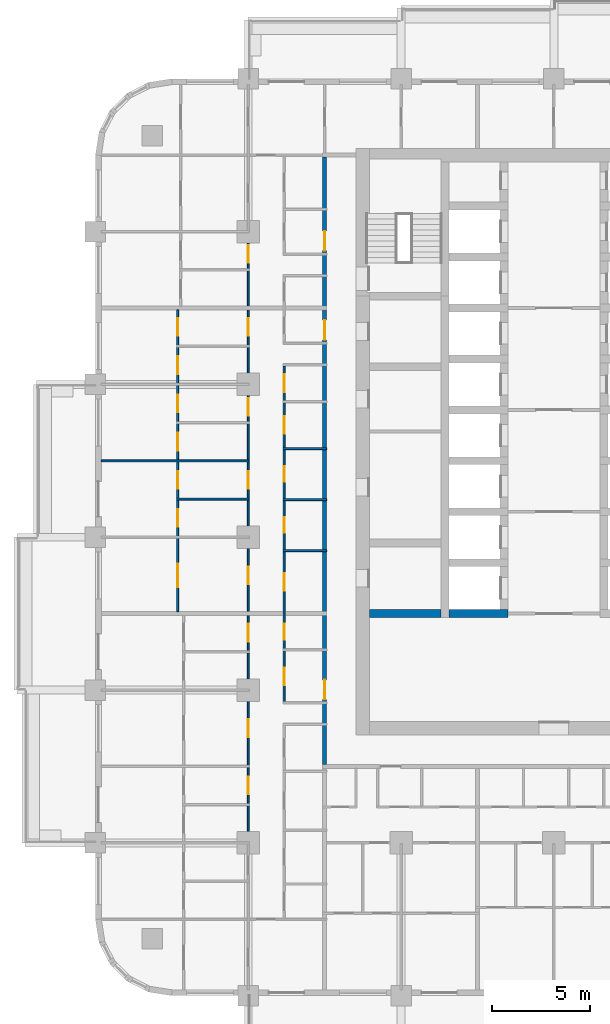
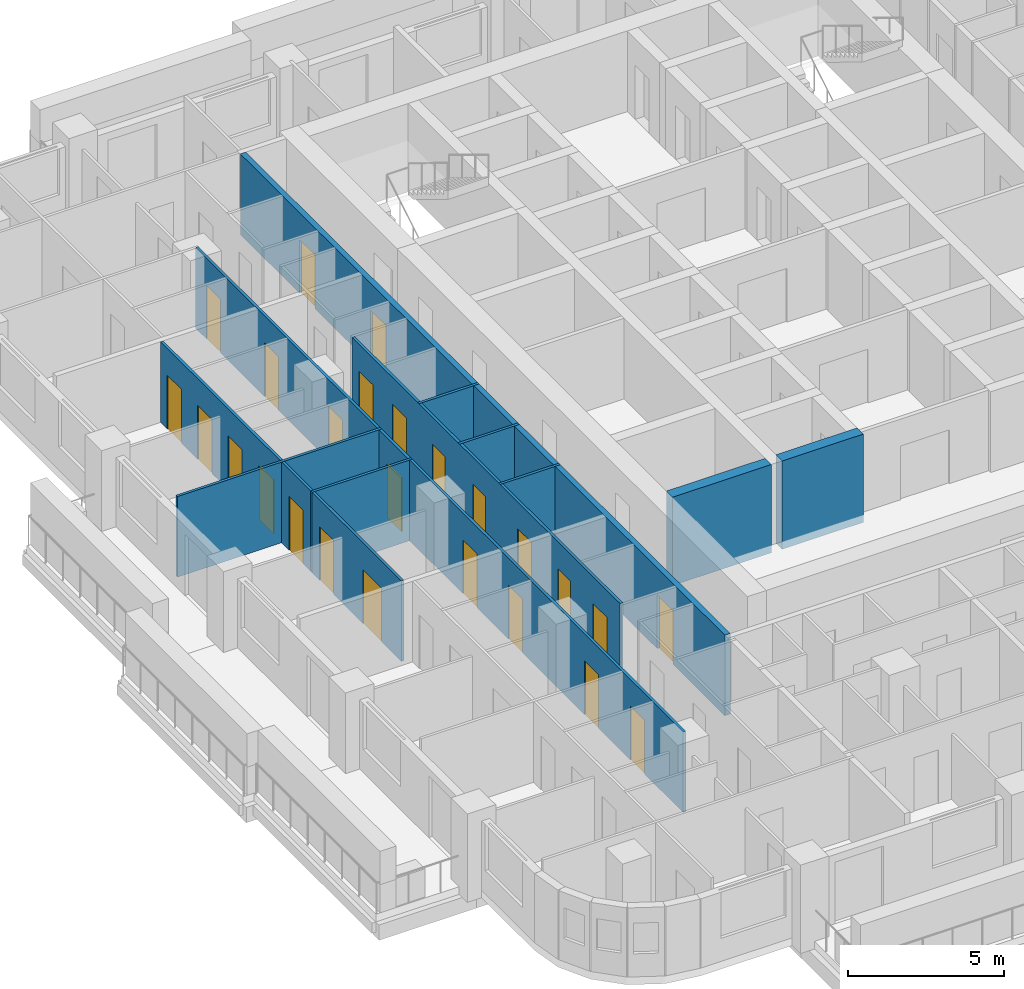
# One storey, part 5 of 17: 25 doors, 11 walls, 25 openings.
"""IFC4 building model written with IfcOpenShell, lengths in metres."""

from ifc_helpers import new_model, si_unit, direction, frame, frame_2d, origin, place, context, subcontext, project, spatial, rectangle, extrude, material, layer, layer_set, type_object, element, fill, save


model = new_model("IFC4")

# Units and contexts
model_context = context("Model", 3, precision=1e-05, world=origin(), true_north=direction((0.0, 1.0)))
body_context = subcontext(model_context, "Body", "Model", "MODEL_VIEW")
ifc_project = project(units=[si_unit("LENGTHUNIT", "METRE"), si_unit("AREAUNIT", "SQUARE_METRE"), si_unit("VOLUMEUNIT", "CUBIC_METRE"), si_unit("PLANEANGLEUNIT", "RADIAN"), si_unit("MASSUNIT", "GRAM", prefix="KILO")], contexts=[model_context])

# Site, building, storey
site_placement = place(None, origin())
site = spatial("IfcSite", under=ifc_project, at=site_placement, CompositionType="ELEMENT")
building_placement = place(site_placement, origin())
building = spatial("IfcBuilding", under=site, at=building_placement, Name="Ludao Terraces", CompositionType="ELEMENT")
storey_placement = place(building_placement, frame((0.0, 0.0, 51.199951171875)))
storey = spatial("IfcBuildingStorey", under=building, at=storey_placement, Name="L13", CompositionType="ELEMENT", Elevation=51.199951171875)

# Wall, openings, doors
ifc_material_1 = material(Name="Autoclaved aerated concrete block B06 A3.5", Category="concrete")
ifc_layer_1 = layer(ifc_material_1, 0.199951171875)
ifc_layer_set_1 = layer_set([ifc_layer_1], Name="INT Entrance wall 200")
wall_type_1 = type_object("IfcWallType", Name="INT Entrance wall 200", PredefinedType="PARTITIONING", material=ifc_layer_set_1)
wall_1_placement = place(storey_placement, frame((73.300048828125, 53.400146484375, 0.0), z_axis=(0.0, 0.0, 1.0), x_axis=(0.0, 1.0, 0.0)))
wall_1 = element("IfcWall", 1, at=wall_1_placement, inside=storey, type_object=wall_type_1, Name="PW-L13-PW089", PredefinedType="PARTITIONING", context=body_context, shape_type="SweptSolid", body=[
    extrude(rectangle(XDim=31.0, YDim=0.199951171875, at=frame_2d((15.5, 0.0))), origin(), (0.0, 0.0, 1.0), 3.150146484375),
])
opening_1_placement = place(wall_1_placement, frame((3.324951171875, 0.0, 0.0)))
opening_1 = element("IfcOpeningElement", 2, at=opening_1_placement, cuts=wall_1, Name="Opening R04-060", PredefinedType="OPENING", context=body_context, shape_type="SweptSolid", body=[
    extrude(rectangle(XDim=1.0, YDim=2.10009765625, at=frame_2d((0.5, 1.050048828125))), frame((0.0, 0.10986328125, 0.0), z_axis=(0.0, -1.0, 0.0), x_axis=(1.0, 0.0, 0.0)), (0.0, 0.0, 1.0), 0.219970703125),
])
opening_2_placement = place(wall_1_placement, frame((21.675048828125, 0.0, 0.0)))
opening_2 = element("IfcOpeningElement", 3, at=opening_2_placement, cuts=wall_1, Name="Opening R04-119", PredefinedType="OPENING", context=body_context, shape_type="SweptSolid", body=[
    extrude(rectangle(XDim=1.0, YDim=2.10009765625, at=frame_2d((0.5, 1.050048828125))), frame((0.0, 0.10986328125, 0.0), z_axis=(0.0, -1.0, 0.0), x_axis=(1.0, 0.0, 0.0)), (0.0, 0.0, 1.0), 0.219970703125),
])
opening_3_placement = place(wall_1_placement, frame((26.22509765625, 0.0, 0.0)))
opening_3 = element("IfcOpeningElement", 4, at=opening_3_placement, cuts=wall_1, Name="Opening R04-139", PredefinedType="OPENING", context=body_context, shape_type="SweptSolid", body=[
    extrude(rectangle(XDim=1.0, YDim=2.10009765625, at=frame_2d((0.5, 1.050048828125))), frame((0.0, 0.10986328125, 0.0), z_axis=(0.0, -1.0, 0.0), x_axis=(1.0, 0.0, 0.0)), (0.0, 0.0, 1.0), 0.219970703125),
])
ifc_material_2 = material(Name="Steel Q235", Category="steel")
door_type_1 = type_object("IfcDoorType", Name="INT Flat entrance door 1000", OperationType="SINGLE_SWING_LEFT", PredefinedType="DOOR", material=ifc_material_2)
door_1_placement = place(opening_1_placement, origin())
door_1 = element("IfcDoor", 5, at=door_1_placement, inside=storey, type_object=door_type_1, Name="DOOR 060", OperationType="SINGLE_SWING_RIGHT", OverallHeight=2.10009765625, OverallWidth=1.0, PredefinedType="DOOR", context=body_context, shape_type="SweptSolid", body=[
    extrude(rectangle(XDim=1.0, YDim=2.10009765625, at=frame_2d((0.5, 1.050048828125))), frame((0.0, 0.02490234375, 0.0), z_axis=(0.0, -1.0, 0.0), x_axis=(1.0, 0.0, 0.0)), (0.0, 0.0, 1.0), 0.050048828125),
])
fill(opening_1, door_1)
door_2_placement = place(opening_2_placement, origin())
door_2 = element("IfcDoor", 6, at=door_2_placement, inside=storey, type_object=door_type_1, Name="DOOR 119", OperationType="SINGLE_SWING_RIGHT", OverallHeight=2.10009765625, OverallWidth=1.0, PredefinedType="DOOR", context=body_context, shape_type="SweptSolid", body=[
    extrude(rectangle(XDim=1.0, YDim=2.10009765625, at=frame_2d((0.5, 1.050048828125))), frame((0.0, 0.02490234375, 0.0), z_axis=(0.0, -1.0, 0.0), x_axis=(1.0, 0.0, 0.0)), (0.0, 0.0, 1.0), 0.050048828125),
])
fill(opening_2, door_2)
door_3_placement = place(opening_3_placement, origin())
door_3 = element("IfcDoor", 7, at=door_3_placement, inside=storey, type_object=door_type_1, Name="DOOR 139", OperationType="SINGLE_SWING_RIGHT", OverallHeight=2.10009765625, OverallWidth=1.0, PredefinedType="DOOR", context=body_context, shape_type="SweptSolid", body=[
    extrude(rectangle(XDim=1.0, YDim=2.10009765625, at=frame_2d((0.5, 1.050048828125))), frame((0.0, 0.02490234375, 0.0), z_axis=(0.0, -1.0, 0.0), x_axis=(1.0, 0.0, 0.0)), (0.0, 0.0, 1.0), 0.050048828125),
])
fill(opening_3, door_3)

# Walls
ifc_material_3 = material(Name="Gypsum plasterboard", Category="gypsum")
ifc_layer_2 = layer(ifc_material_3, 0.012451171875, Category="gypsum")
ifc_material_4 = material(Name="Mineral wool")
ifc_layer_3 = layer(ifc_material_4, 0.06005859375, Name="insulation")
ifc_layer_4 = layer(ifc_material_2, 0.014892578125, Name="stud")
ifc_layer_5 = layer(ifc_material_3, 0.012451171875, Category="gypsum")
ifc_layer_set_2 = layer_set([ifc_layer_2, ifc_layer_3, ifc_layer_4, ifc_layer_5], Name="INT Partition 100")
wall_type_2 = type_object("IfcWallType", Name="INT Partition 100", PredefinedType="PARTITIONING", material=ifc_layer_set_2)
for number, where, z_axis, x_axis, name in (
    (8, (71.18017578125, 64.320068359375, 0.0), (0.0, 0.0, 1.0), (1.0, 0.0, 0.0), "PW-L13-PW038"),
    (9, (71.18017578125, 66.919921875, 0.0), (0.0, 0.0, 1.0), (1.0, 0.0, 0.0), "PW-L13-PW042"),
):
    element("IfcWall", number, at=place(storey_placement, frame(where, z_axis=z_axis, x_axis=x_axis)), inside=storey, type_object=wall_type_2, Name=name, PredefinedType="PARTITIONING", context=body_context, shape_type="SweptSolid", body=[
        extrude(rectangle(XDim=2.219970703125, YDim=0.10009765625, at=frame_2d((1.10986328125, 0.0))), origin(), (0.0, 0.0, 1.0), 3.150146484375),
    ])
wall_2_placement = place(storey_placement, frame((65.75, 66.949951171875, 0.0), z_axis=(0.0, 0.0, 1.0), x_axis=(1.0, 0.0, 0.0)))
element("IfcWall", 10, at=wall_2_placement, inside=storey, type_object=wall_type_2, Name="PW-L13-PW043", PredefinedType="PARTITIONING", context=body_context, shape_type="SweptSolid", body=[
    extrude(rectangle(XDim=3.7001953125, YDim=0.10009765625, at=frame_2d((1.85009765625, 0.0))), origin(), (0.0, 0.0, 1.0), 3.150146484375),
])
wall_3_placement = place(storey_placement, frame((61.900146484375, 68.89990234375, 0.0), z_axis=(0.0, 0.0, 1.0), x_axis=(1.0, 0.0, 0.0)))
element("IfcWall", 11, at=wall_3_placement, inside=storey, type_object=wall_type_2, Name="PW-L13-PW045", PredefinedType="PARTITIONING", context=body_context, shape_type="SweptSolid", body=[
    extrude(rectangle(XDim=7.550048828125, YDim=0.10009765625, at=frame_2d((3.77490234375, 0.0))), origin(), (0.0, 0.0, 1.0), 3.150146484375),
])
wall_4_placement = place(storey_placement, frame((71.18017578125, 69.52001953125, 0.0), z_axis=(0.0, 0.0, 1.0), x_axis=(1.0, 0.0, 0.0)))
element("IfcWall", 12, at=wall_4_placement, inside=storey, type_object=wall_type_2, Name="PW-L13-PW047", PredefinedType="PARTITIONING", context=body_context, shape_type="SweptSolid", body=[
    extrude(rectangle(XDim=2.219970703125, YDim=0.10009765625, at=frame_2d((1.10986328125, 0.0))), origin(), (0.0, 0.0, 1.0), 3.150146484375),
])

# Wall, openings, doors
wall_5_placement = place(storey_placement, frame((65.800048828125, 61.2001953125, 0.0), z_axis=(0.0, 0.0, 1.0), x_axis=(0.0, 1.0, 0.0)))
wall_5 = element("IfcWall", 13, at=wall_5_placement, inside=storey, type_object=wall_type_2, Name="PW-L13-PW080", PredefinedType="PARTITIONING", context=body_context, shape_type="SweptSolid", body=[
    extrude(rectangle(XDim=15.39990234375, YDim=0.10009765625, at=frame_2d((7.699951171875, 0.0))), origin(), (0.0, 0.0, 1.0), 3.150146484375),
])
opening_4_placement = place(wall_5_placement, frame((1.25, 0.0, 0.0)))
opening_4 = element("IfcOpeningElement", 14, at=opening_4_placement, cuts=wall_5, Name="Opening R04-077", PredefinedType="OPENING", context=body_context, shape_type="SweptSolid", body=[
    extrude(rectangle(XDim=1.199951171875, YDim=2.10009765625, at=frame_2d((0.60009765625, 1.050048828125))), frame((0.0, 0.06005859375, 0.0), z_axis=(0.0, -1.0, 0.0), x_axis=(1.0, 0.0, 0.0)), (0.0, 0.0, 1.0), 0.1201171875),
])
opening_5_placement = place(wall_5_placement, frame((4.324951171875, 0.0, 0.0)))
opening_5 = element("IfcOpeningElement", 15, at=opening_5_placement, cuts=wall_5, Name="Opening R04-086", PredefinedType="OPENING", context=body_context, shape_type="SweptSolid", body=[
    extrude(rectangle(XDim=0.89990234375, YDim=2.10009765625, at=frame_2d((0.449951171875, 1.050048828125))), frame((0.0, 0.06005859375, 0.0), z_axis=(0.0, -1.0, 0.0), x_axis=(1.0, 0.0, 0.0)), (0.0, 0.0, 1.0), 0.1201171875),
])
opening_6_placement = place(wall_5_placement, frame((6.27490234375, 0.0, 0.0)))
opening_6 = element("IfcOpeningElement", 16, at=opening_6_placement, cuts=wall_5, Name="Opening R04-093", PredefinedType="OPENING", context=body_context, shape_type="SweptSolid", body=[
    extrude(rectangle(XDim=0.89990234375, YDim=2.10009765625, at=frame_2d((0.449951171875, 1.050048828125))), frame((0.0, 0.06005859375, 0.0), z_axis=(0.0, -1.0, 0.0), x_axis=(1.0, 0.0, 0.0)), (0.0, 0.0, 1.0), 0.1201171875),
])
opening_7_placement = place(wall_5_placement, frame((8.224853515625, 0.0, 0.0)))
opening_7 = element("IfcOpeningElement", 17, at=opening_7_placement, cuts=wall_5, Name="Opening R04-097", PredefinedType="OPENING", context=body_context, shape_type="SweptSolid", body=[
    extrude(rectangle(XDim=0.89990234375, YDim=2.10009765625, at=frame_2d((0.449951171875, 1.050048828125))), frame((0.0, 0.06005859375, 0.0), z_axis=(0.0, -1.0, 0.0), x_axis=(1.0, 0.0, 0.0)), (0.0, 0.0, 1.0), 0.1201171875),
])
opening_8_placement = place(wall_5_placement, frame((10.1748046875, 0.0, 0.0)))
opening_8 = element("IfcOpeningElement", 18, at=opening_8_placement, cuts=wall_5, Name="Opening R04-105", PredefinedType="OPENING", context=body_context, shape_type="SweptSolid", body=[
    extrude(rectangle(XDim=0.89990234375, YDim=2.10009765625, at=frame_2d((0.449951171875, 1.050048828125))), frame((0.0, 0.06005859375, 0.0), z_axis=(0.0, -1.0, 0.0), x_axis=(1.0, 0.0, 0.0)), (0.0, 0.0, 1.0), 0.1201171875),
])
opening_9_placement = place(wall_5_placement, frame((12.125, 0.0, 0.0)))
opening_9 = element("IfcOpeningElement", 19, at=opening_9_placement, cuts=wall_5, Name="Opening R04-112", PredefinedType="OPENING", context=body_context, shape_type="SweptSolid", body=[
    extrude(rectangle(XDim=0.89990234375, YDim=2.10009765625, at=frame_2d((0.449951171875, 1.050048828125))), frame((0.0, 0.06005859375, 0.0), z_axis=(0.0, -1.0, 0.0), x_axis=(1.0, 0.0, 0.0)), (0.0, 0.0, 1.0), 0.1201171875),
])
opening_10_placement = place(wall_5_placement, frame((14.074951171875, 0.0, 0.0)))
opening_10 = element("IfcOpeningElement", 20, at=opening_10_placement, cuts=wall_5, Name="Opening R04-120", PredefinedType="OPENING", context=body_context, shape_type="SweptSolid", body=[
    extrude(rectangle(XDim=0.89990234375, YDim=2.10009765625, at=frame_2d((0.449951171875, 1.050048828125))), frame((0.0, 0.06005859375, 0.0), z_axis=(0.0, -1.0, 0.0), x_axis=(1.0, 0.0, 0.0)), (0.0, 0.0, 1.0), 0.1201171875),
])
ifc_material_5 = material(Name="Timber door leaf", Category="wood")
door_type_2 = type_object("IfcDoorType", Name="INT Bathroom door 900", OperationType="SINGLE_SWING_LEFT", PredefinedType="DOOR", material=ifc_material_5)
door_4_placement = place(opening_5_placement, origin())
door_4 = element("IfcDoor", 21, at=door_4_placement, inside=storey, type_object=door_type_2, Name="DOOR 086", OperationType="SINGLE_SWING_RIGHT", OverallHeight=2.10009765625, OverallWidth=0.89990234375, PredefinedType="DOOR", context=body_context, shape_type="SweptSolid", body=[
    extrude(rectangle(XDim=0.89990234375, YDim=2.10009765625, at=frame_2d((0.449951171875, 1.050048828125))), frame((0.0, 0.02490234375, 0.0), z_axis=(0.0, -1.0, 0.0), x_axis=(1.0, 0.0, 0.0)), (0.0, 0.0, 1.0), 0.050048828125),
])
fill(opening_5, door_4)
door_5_placement = place(opening_7_placement, origin())
door_5 = element("IfcDoor", 22, at=door_5_placement, inside=storey, type_object=door_type_2, Name="DOOR 097", OperationType="SINGLE_SWING_RIGHT", OverallHeight=2.10009765625, OverallWidth=0.89990234375, PredefinedType="DOOR", context=body_context, shape_type="SweptSolid", body=[
    extrude(rectangle(XDim=0.89990234375, YDim=2.10009765625, at=frame_2d((0.449951171875, 1.050048828125))), frame((0.0, 0.02490234375, 0.0), z_axis=(0.0, -1.0, 0.0), x_axis=(1.0, 0.0, 0.0)), (0.0, 0.0, 1.0), 0.050048828125),
])
fill(opening_7, door_5)
door_6_placement = place(opening_9_placement, origin())
door_6 = element("IfcDoor", 23, at=door_6_placement, inside=storey, type_object=door_type_2, Name="DOOR 112", OperationType="SINGLE_SWING_RIGHT", OverallHeight=2.10009765625, OverallWidth=0.89990234375, PredefinedType="DOOR", context=body_context, shape_type="SweptSolid", body=[
    extrude(rectangle(XDim=0.89990234375, YDim=2.10009765625, at=frame_2d((0.449951171875, 1.050048828125))), frame((0.0, 0.02490234375, 0.0), z_axis=(0.0, -1.0, 0.0), x_axis=(1.0, 0.0, 0.0)), (0.0, 0.0, 1.0), 0.050048828125),
])
fill(opening_9, door_6)
door_type_3 = type_object("IfcDoorType", Name="INT Double door 1200", OperationType="DOUBLE_DOOR_SINGLE_SWING", PredefinedType="DOOR", material=ifc_material_5)
door_7_placement = place(opening_4_placement, origin())
door_7 = element("IfcDoor", 24, at=door_7_placement, inside=storey, type_object=door_type_3, Name="DOOR 077", OperationType="DOUBLE_DOOR_SINGLE_SWING", OverallHeight=2.10009765625, OverallWidth=1.199951171875, PredefinedType="DOOR", context=body_context, shape_type="SweptSolid", body=[
    extrude(rectangle(XDim=1.199951171875, YDim=2.10009765625, at=frame_2d((0.60009765625, 1.050048828125))), frame((0.0, 0.02490234375, 0.0), z_axis=(0.0, -1.0, 0.0), x_axis=(1.0, 0.0, 0.0)), (0.0, 0.0, 1.0), 0.050048828125),
])
fill(opening_4, door_7)
door_type_4 = type_object("IfcDoorType", Name="INT Room door 900", OperationType="SINGLE_SWING_LEFT", PredefinedType="DOOR", material=ifc_material_5)
door_8_placement = place(opening_6_placement, origin())
door_8 = element("IfcDoor", 25, at=door_8_placement, inside=storey, type_object=door_type_4, Name="DOOR 093", OperationType="SINGLE_SWING_LEFT", OverallHeight=2.10009765625, OverallWidth=0.89990234375, PredefinedType="DOOR", context=body_context, shape_type="SweptSolid", body=[
    extrude(rectangle(XDim=0.89990234375, YDim=2.10009765625, at=frame_2d((0.449951171875, 1.050048828125))), frame((0.0, 0.02490234375, 0.0), z_axis=(0.0, -1.0, 0.0), x_axis=(1.0, 0.0, 0.0)), (0.0, 0.0, 1.0), 0.050048828125),
])
fill(opening_6, door_8)
door_9_placement = place(opening_8_placement, origin())
door_9 = element("IfcDoor", 26, at=door_9_placement, inside=storey, type_object=door_type_4, Name="DOOR 105", OperationType="SINGLE_SWING_RIGHT", OverallHeight=2.10009765625, OverallWidth=0.89990234375, PredefinedType="DOOR", context=body_context, shape_type="SweptSolid", body=[
    extrude(rectangle(XDim=0.89990234375, YDim=2.10009765625, at=frame_2d((0.449951171875, 1.050048828125))), frame((0.0, 0.02490234375, 0.0), z_axis=(0.0, -1.0, 0.0), x_axis=(1.0, 0.0, 0.0)), (0.0, 0.0, 1.0), 0.050048828125),
])
fill(opening_8, door_9)
door_10_placement = place(opening_10_placement, origin())
door_10 = element("IfcDoor", 27, at=door_10_placement, inside=storey, type_object=door_type_4, Name="DOOR 120", OperationType="SINGLE_SWING_LEFT", OverallHeight=2.10009765625, OverallWidth=0.89990234375, PredefinedType="DOOR", context=body_context, shape_type="SweptSolid", body=[
    extrude(rectangle(XDim=0.89990234375, YDim=2.10009765625, at=frame_2d((0.449951171875, 1.050048828125))), frame((0.0, 0.02490234375, 0.0), z_axis=(0.0, -1.0, 0.0), x_axis=(1.0, 0.0, 0.0)), (0.0, 0.0, 1.0), 0.050048828125),
])
fill(opening_10, door_10)

wall_6_placement = place(storey_placement, frame((69.39990234375, 49.39990234375, 0.0), z_axis=(0.0, 0.0, 1.0), x_axis=(0.0, 1.0, 0.0)))
wall_6 = element("IfcWall", 28, at=wall_6_placement, inside=storey, type_object=wall_type_2, Name="PW-L13-PW083-2", PredefinedType="PARTITIONING", context=body_context, shape_type="SweptSolid", body=[
    extrude(rectangle(XDim=31.2001953125, YDim=0.10009765625, at=frame_2d((15.60009765625, 0.0))), origin(), (0.0, 0.0, 1.0), 3.150146484375),
])
opening_11_placement = place(wall_6_placement, frame((2.47509765625, 0.0, 0.0)))
opening_11 = element("IfcOpeningElement", 29, at=opening_11_placement, cuts=wall_6, Name="Opening R04-046", PredefinedType="OPENING", context=body_context, shape_type="SweptSolid", body=[
    extrude(rectangle(XDim=0.89990234375, YDim=2.10009765625, at=frame_2d((0.449951171875, 1.050048828125))), frame((0.0, 0.06005859375, 0.0), z_axis=(0.0, -1.0, 0.0), x_axis=(1.0, 0.0, 0.0)), (0.0, 0.0, 1.0), 0.1201171875),
])
opening_12_placement = place(wall_6_placement, frame((5.400146484375, 0.0, 0.0)))
opening_12 = element("IfcOpeningElement", 30, at=opening_12_placement, cuts=wall_6, Name="Opening R04-054", PredefinedType="OPENING", context=body_context, shape_type="SweptSolid", body=[
    extrude(rectangle(XDim=0.89990234375, YDim=2.10009765625, at=frame_2d((0.449951171875, 1.050048828125))), frame((0.0, 0.06005859375, 0.0), z_axis=(0.0, -1.0, 0.0), x_axis=(1.0, 0.0, 0.0)), (0.0, 0.0, 1.0), 0.1201171875),
])
opening_13_placement = place(wall_6_placement, frame((10.275146484375, 0.0, 0.0)))
opening_13 = element("IfcOpeningElement", 31, at=opening_13_placement, cuts=wall_6, Name="Opening R04-068", PredefinedType="OPENING", context=body_context, shape_type="SweptSolid", body=[
    extrude(rectangle(XDim=0.89990234375, YDim=2.10009765625, at=frame_2d((0.449951171875, 1.050048828125))), frame((0.0, 0.06005859375, 0.0), z_axis=(0.0, -1.0, 0.0), x_axis=(1.0, 0.0, 0.0)), (0.0, 0.0, 1.0), 0.1201171875),
])
opening_14_placement = place(wall_6_placement, frame((13.2001953125, 0.0, 0.0)))
opening_14 = element("IfcOpeningElement", 32, at=opening_14_placement, cuts=wall_6, Name="Opening R04-078", PredefinedType="OPENING", context=body_context, shape_type="SweptSolid", body=[
    extrude(rectangle(XDim=0.89990234375, YDim=2.10009765625, at=frame_2d((0.449951171875, 1.050048828125))), frame((0.0, 0.06005859375, 0.0), z_axis=(0.0, -1.0, 0.0), x_axis=(1.0, 0.0, 0.0)), (0.0, 0.0, 1.0), 0.1201171875),
])
opening_15_placement = place(wall_6_placement, frame((18.0751953125, 0.0, 0.0)))
opening_15 = element("IfcOpeningElement", 33, at=opening_15_placement, cuts=wall_6, Name="Opening R04-094", PredefinedType="OPENING", context=body_context, shape_type="SweptSolid", body=[
    extrude(rectangle(XDim=0.89990234375, YDim=2.10009765625, at=frame_2d((0.449951171875, 1.050048828125))), frame((0.0, 0.06005859375, 0.0), z_axis=(0.0, -1.0, 0.0), x_axis=(1.0, 0.0, 0.0)), (0.0, 0.0, 1.0), 0.1201171875),
])
opening_16_placement = place(wall_6_placement, frame((21.80029296875, 0.0, 0.0)))
opening_16 = element("IfcOpeningElement", 34, at=opening_16_placement, cuts=wall_6, Name="Opening R04-103", PredefinedType="OPENING", context=body_context, shape_type="SweptSolid", body=[
    extrude(rectangle(XDim=0.89990234375, YDim=2.10009765625, at=frame_2d((0.449951171875, 1.050048828125))), frame((0.0, 0.06005859375, 0.0), z_axis=(0.0, -1.0, 0.0), x_axis=(1.0, 0.0, 0.0)), (0.0, 0.0, 1.0), 0.1201171875),
])
opening_17_placement = place(wall_6_placement, frame((25.875244140625, 0.0, 0.0)))
opening_17 = element("IfcOpeningElement", 35, at=opening_17_placement, cuts=wall_6, Name="Opening R04-121", PredefinedType="OPENING", context=body_context, shape_type="SweptSolid", body=[
    extrude(rectangle(XDim=0.89990234375, YDim=2.10009765625, at=frame_2d((0.449951171875, 1.050048828125))), frame((0.0, 0.06005859375, 0.0), z_axis=(0.0, -1.0, 0.0), x_axis=(1.0, 0.0, 0.0)), (0.0, 0.0, 1.0), 0.1201171875),
])
opening_18_placement = place(wall_6_placement, frame((29.60009765625, 0.0, 0.0)))
opening_18 = element("IfcOpeningElement", 36, at=opening_18_placement, cuts=wall_6, Name="Opening R04-135", PredefinedType="OPENING", context=body_context, shape_type="SweptSolid", body=[
    extrude(rectangle(XDim=0.89990234375, YDim=2.10009765625, at=frame_2d((0.449951171875, 1.050048828125))), frame((0.0, 0.06005859375, 0.0), z_axis=(0.0, -1.0, 0.0), x_axis=(1.0, 0.0, 0.0)), (0.0, 0.0, 1.0), 0.1201171875),
])
door_11_placement = place(opening_11_placement, origin())
door_11 = element("IfcDoor", 37, at=door_11_placement, inside=storey, type_object=door_type_4, Name="DOOR 046", OperationType="SINGLE_SWING_RIGHT", OverallHeight=2.10009765625, OverallWidth=0.89990234375, PredefinedType="DOOR", context=body_context, shape_type="SweptSolid", body=[
    extrude(rectangle(XDim=0.89990234375, YDim=2.10009765625, at=frame_2d((0.449951171875, 1.050048828125))), frame((0.0, 0.02490234375, 0.0), z_axis=(0.0, -1.0, 0.0), x_axis=(1.0, 0.0, 0.0)), (0.0, 0.0, 1.0), 0.050048828125),
])
fill(opening_11, door_11)
door_12_placement = place(opening_12_placement, origin())
door_12 = element("IfcDoor", 38, at=door_12_placement, inside=storey, type_object=door_type_4, Name="DOOR 054", OperationType="SINGLE_SWING_RIGHT", OverallHeight=2.10009765625, OverallWidth=0.89990234375, PredefinedType="DOOR", context=body_context, shape_type="SweptSolid", body=[
    extrude(rectangle(XDim=0.89990234375, YDim=2.10009765625, at=frame_2d((0.449951171875, 1.050048828125))), frame((0.0, 0.02490234375, 0.0), z_axis=(0.0, -1.0, 0.0), x_axis=(1.0, 0.0, 0.0)), (0.0, 0.0, 1.0), 0.050048828125),
])
fill(opening_12, door_12)
door_13_placement = place(opening_13_placement, origin())
door_13 = element("IfcDoor", 39, at=door_13_placement, inside=storey, type_object=door_type_4, Name="DOOR 068", OperationType="SINGLE_SWING_LEFT", OverallHeight=2.10009765625, OverallWidth=0.89990234375, PredefinedType="DOOR", context=body_context, shape_type="SweptSolid", body=[
    extrude(rectangle(XDim=0.89990234375, YDim=2.10009765625, at=frame_2d((0.449951171875, 1.050048828125))), frame((0.0, 0.02490234375, 0.0), z_axis=(0.0, -1.0, 0.0), x_axis=(1.0, 0.0, 0.0)), (0.0, 0.0, 1.0), 0.050048828125),
])
fill(opening_13, door_13)
door_14_placement = place(opening_14_placement, origin())
door_14 = element("IfcDoor", 40, at=door_14_placement, inside=storey, type_object=door_type_4, Name="DOOR 078", OperationType="SINGLE_SWING_LEFT", OverallHeight=2.10009765625, OverallWidth=0.89990234375, PredefinedType="DOOR", context=body_context, shape_type="SweptSolid", body=[
    extrude(rectangle(XDim=0.89990234375, YDim=2.10009765625, at=frame_2d((0.449951171875, 1.050048828125))), frame((0.0, 0.02490234375, 0.0), z_axis=(0.0, -1.0, 0.0), x_axis=(1.0, 0.0, 0.0)), (0.0, 0.0, 1.0), 0.050048828125),
])
fill(opening_14, door_14)
door_15_placement = place(opening_15_placement, origin())
door_15 = element("IfcDoor", 41, at=door_15_placement, inside=storey, type_object=door_type_4, Name="DOOR 094", OperationType="SINGLE_SWING_RIGHT", OverallHeight=2.10009765625, OverallWidth=0.89990234375, PredefinedType="DOOR", context=body_context, shape_type="SweptSolid", body=[
    extrude(rectangle(XDim=0.89990234375, YDim=2.10009765625, at=frame_2d((0.449951171875, 1.050048828125))), frame((0.0, 0.02490234375, 0.0), z_axis=(0.0, -1.0, 0.0), x_axis=(1.0, 0.0, 0.0)), (0.0, 0.0, 1.0), 0.050048828125),
])
fill(opening_15, door_15)
door_16_placement = place(opening_16_placement, origin())
door_16 = element("IfcDoor", 42, at=door_16_placement, inside=storey, type_object=door_type_4, Name="DOOR 103", OperationType="SINGLE_SWING_LEFT", OverallHeight=2.10009765625, OverallWidth=0.89990234375, PredefinedType="DOOR", context=body_context, shape_type="SweptSolid", body=[
    extrude(rectangle(XDim=0.89990234375, YDim=2.10009765625, at=frame_2d((0.449951171875, 1.050048828125))), frame((0.0, 0.02490234375, 0.0), z_axis=(0.0, -1.0, 0.0), x_axis=(1.0, 0.0, 0.0)), (0.0, 0.0, 1.0), 0.050048828125),
])
fill(opening_16, door_16)
door_17_placement = place(opening_17_placement, origin())
door_17 = element("IfcDoor", 43, at=door_17_placement, inside=storey, type_object=door_type_4, Name="DOOR 121", OperationType="SINGLE_SWING_RIGHT", OverallHeight=2.10009765625, OverallWidth=0.89990234375, PredefinedType="DOOR", context=body_context, shape_type="SweptSolid", body=[
    extrude(rectangle(XDim=0.89990234375, YDim=2.10009765625, at=frame_2d((0.449951171875, 1.050048828125))), frame((0.0, 0.02490234375, 0.0), z_axis=(0.0, -1.0, 0.0), x_axis=(1.0, 0.0, 0.0)), (0.0, 0.0, 1.0), 0.050048828125),
])
fill(opening_17, door_17)
door_18_placement = place(opening_18_placement, origin())
door_18 = element("IfcDoor", 44, at=door_18_placement, inside=storey, type_object=door_type_4, Name="DOOR 135", OperationType="SINGLE_SWING_LEFT", OverallHeight=2.10009765625, OverallWidth=0.89990234375, PredefinedType="DOOR", context=body_context, shape_type="SweptSolid", body=[
    extrude(rectangle(XDim=0.89990234375, YDim=2.10009765625, at=frame_2d((0.449951171875, 1.050048828125))), frame((0.0, 0.02490234375, 0.0), z_axis=(0.0, -1.0, 0.0), x_axis=(1.0, 0.0, 0.0)), (0.0, 0.0, 1.0), 0.050048828125),
])
fill(opening_18, door_18)

wall_7_placement = place(storey_placement, frame((71.22998046875, 56.60009765625, 0.0), z_axis=(0.0, 0.0, 1.0), x_axis=(0.0, 1.0, 0.0)))
wall_7 = element("IfcWall", 45, at=wall_7_placement, inside=storey, type_object=wall_type_2, Name="PW-L13-PW085", PredefinedType="PARTITIONING", context=body_context, shape_type="SweptSolid", body=[
    extrude(rectangle(XDim=17.14990234375, YDim=0.10009765625, at=frame_2d((8.574951171875, 0.0))), origin(), (0.0, 0.0, 1.0), 3.150146484375),
])
opening_19_placement = place(wall_7_placement, frame((0.85009765625, 0.0, 0.0)))
opening_19 = element("IfcOpeningElement", 46, at=opening_19_placement, cuts=wall_7, Name="Opening R04-063", PredefinedType="OPENING", context=body_context, shape_type="SweptSolid", body=[
    extrude(rectangle(XDim=0.89990234375, YDim=2.10009765625, at=frame_2d((0.449951171875, 1.050048828125))), frame((0.0, 0.06005859375, 0.0), z_axis=(0.0, -1.0, 0.0), x_axis=(1.0, 0.0, 0.0)), (0.0, 0.0, 1.0), 0.1201171875),
])
opening_20_placement = place(wall_7_placement, frame((3.175048828125, 0.0, 0.0)))
opening_20 = element("IfcOpeningElement", 47, at=opening_20_placement, cuts=wall_7, Name="Opening R04-071", PredefinedType="OPENING", context=body_context, shape_type="SweptSolid", body=[
    extrude(rectangle(XDim=0.800048828125, YDim=2.10009765625, at=frame_2d((0.39990234375, 1.050048828125))), frame((0.0, 0.06005859375, 0.0), z_axis=(0.0, -1.0, 0.0), x_axis=(1.0, 0.0, 0.0)), (0.0, 0.0, 1.0), 0.1201171875),
])
opening_21_placement = place(wall_7_placement, frame((5.659912109375, 0.0, 0.0)))
opening_21 = element("IfcOpeningElement", 48, at=opening_21_placement, cuts=wall_7, Name="Opening R04-075", PredefinedType="OPENING", context=body_context, shape_type="SweptSolid", body=[
    extrude(rectangle(XDim=0.89990234375, YDim=2.10009765625, at=frame_2d((0.449951171875, 1.050048828125))), frame((0.0, 0.06005859375, 0.0), z_axis=(0.0, -1.0, 0.0), x_axis=(1.0, 0.0, 0.0)), (0.0, 0.0, 1.0), 0.1201171875),
])
opening_22_placement = place(wall_7_placement, frame((8.6201171875, 0.0, 0.0)))
opening_22 = element("IfcOpeningElement", 49, at=opening_22_placement, cuts=wall_7, Name="Opening R04-084", PredefinedType="OPENING", context=body_context, shape_type="SweptSolid", body=[
    extrude(rectangle(XDim=0.800048828125, YDim=2.10009765625, at=frame_2d((0.39990234375, 1.050048828125))), frame((0.0, 0.06005859375, 0.0), z_axis=(0.0, -1.0, 0.0), x_axis=(1.0, 0.0, 0.0)), (0.0, 0.0, 1.0), 0.1201171875),
])
opening_23_placement = place(wall_7_placement, frame((11.219970703125, 0.0, 0.0)))
opening_23 = element("IfcOpeningElement", 50, at=opening_23_placement, cuts=wall_7, Name="Opening R04-095", PredefinedType="OPENING", context=body_context, shape_type="SweptSolid", body=[
    extrude(rectangle(XDim=0.800048828125, YDim=2.10009765625, at=frame_2d((0.39990234375, 1.050048828125))), frame((0.0, 0.06005859375, 0.0), z_axis=(0.0, -1.0, 0.0), x_axis=(1.0, 0.0, 0.0)), (0.0, 0.0, 1.0), 0.1201171875),
])
opening_24_placement = place(wall_7_placement, frame((13.669921875, 0.0, 0.0)))
opening_24 = element("IfcOpeningElement", 51, at=opening_24_placement, cuts=wall_7, Name="Opening R04-100", PredefinedType="OPENING", context=body_context, shape_type="SweptSolid", body=[
    extrude(rectangle(XDim=0.89990234375, YDim=2.10009765625, at=frame_2d((0.449951171875, 1.050048828125))), frame((0.0, 0.06005859375, 0.0), z_axis=(0.0, -1.0, 0.0), x_axis=(1.0, 0.0, 0.0)), (0.0, 0.0, 1.0), 0.1201171875),
])
opening_25_placement = place(wall_7_placement, frame((15.81005859375, 0.0, 0.0)))
opening_25 = element("IfcOpeningElement", 52, at=opening_25_placement, cuts=wall_7, Name="Opening R04-111", PredefinedType="OPENING", context=body_context, shape_type="SweptSolid", body=[
    extrude(rectangle(XDim=0.89990234375, YDim=2.10009765625, at=frame_2d((0.449951171875, 1.050048828125))), frame((0.0, 0.06005859375, 0.0), z_axis=(0.0, -1.0, 0.0), x_axis=(1.0, 0.0, 0.0)), (0.0, 0.0, 1.0), 0.1201171875),
])
door_19_placement = place(opening_24_placement, origin())
door_19 = element("IfcDoor", 53, at=door_19_placement, inside=storey, type_object=door_type_2, Name="DOOR 100", OperationType="SINGLE_SWING_RIGHT", OverallHeight=2.10009765625, OverallWidth=0.89990234375, PredefinedType="DOOR", context=body_context, shape_type="SweptSolid", body=[
    extrude(rectangle(XDim=0.89990234375, YDim=2.10009765625, at=frame_2d((0.449951171875, 1.050048828125))), frame((0.0, 0.02490234375, 0.0), z_axis=(0.0, -1.0, 0.0), x_axis=(1.0, 0.0, 0.0)), (0.0, 0.0, 1.0), 0.050048828125),
])
fill(opening_24, door_19)
door_20_placement = place(opening_25_placement, origin())
door_20 = element("IfcDoor", 54, at=door_20_placement, inside=storey, type_object=door_type_2, Name="DOOR 111", OperationType="SINGLE_SWING_RIGHT", OverallHeight=2.10009765625, OverallWidth=0.89990234375, PredefinedType="DOOR", context=body_context, shape_type="SweptSolid", body=[
    extrude(rectangle(XDim=0.89990234375, YDim=2.10009765625, at=frame_2d((0.449951171875, 1.050048828125))), frame((0.0, 0.02490234375, 0.0), z_axis=(0.0, -1.0, 0.0), x_axis=(1.0, 0.0, 0.0)), (0.0, 0.0, 1.0), 0.050048828125),
])
fill(opening_25, door_20)
door_21_placement = place(opening_19_placement, origin())
door_21 = element("IfcDoor", 55, at=door_21_placement, inside=storey, type_object=door_type_4, Name="DOOR 063", OperationType="SINGLE_SWING_RIGHT", OverallHeight=2.10009765625, OverallWidth=0.89990234375, PredefinedType="DOOR", context=body_context, shape_type="SweptSolid", body=[
    extrude(rectangle(XDim=0.89990234375, YDim=2.10009765625, at=frame_2d((0.449951171875, 1.050048828125))), frame((0.0, 0.02490234375, 0.0), z_axis=(0.0, -1.0, 0.0), x_axis=(1.0, 0.0, 0.0)), (0.0, 0.0, 1.0), 0.050048828125),
])
fill(opening_19, door_21)
door_22_placement = place(opening_21_placement, origin())
door_22 = element("IfcDoor", 56, at=door_22_placement, inside=storey, type_object=door_type_4, Name="DOOR 075", OperationType="SINGLE_SWING_RIGHT", OverallHeight=2.10009765625, OverallWidth=0.89990234375, PredefinedType="DOOR", context=body_context, shape_type="SweptSolid", body=[
    extrude(rectangle(XDim=0.89990234375, YDim=2.10009765625, at=frame_2d((0.449951171875, 1.050048828125))), frame((0.0, 0.02490234375, 0.0), z_axis=(0.0, -1.0, 0.0), x_axis=(1.0, 0.0, 0.0)), (0.0, 0.0, 1.0), 0.050048828125),
])
fill(opening_21, door_22)
door_type_5 = type_object("IfcDoorType", Name="INT Store door 800", OperationType="SINGLE_SWING_LEFT", PredefinedType="DOOR", material=ifc_material_5)
door_23_placement = place(opening_20_placement, origin())
door_23 = element("IfcDoor", 57, at=door_23_placement, inside=storey, type_object=door_type_5, Name="DOOR 071", OperationType="SINGLE_SWING_LEFT", OverallHeight=2.10009765625, OverallWidth=0.800048828125, PredefinedType="DOOR", context=body_context, shape_type="SweptSolid", body=[
    extrude(rectangle(XDim=0.800048828125, YDim=2.10009765625, at=frame_2d((0.39990234375, 1.050048828125))), frame((0.0, 0.02490234375, 0.0), z_axis=(0.0, -1.0, 0.0), x_axis=(1.0, 0.0, 0.0)), (0.0, 0.0, 1.0), 0.050048828125),
])
fill(opening_20, door_23)
door_24_placement = place(opening_22_placement, origin())
door_24 = element("IfcDoor", 58, at=door_24_placement, inside=storey, type_object=door_type_5, Name="DOOR 084", OperationType="SINGLE_SWING_RIGHT", OverallHeight=2.10009765625, OverallWidth=0.800048828125, PredefinedType="DOOR", context=body_context, shape_type="SweptSolid", body=[
    extrude(rectangle(XDim=0.800048828125, YDim=2.10009765625, at=frame_2d((0.39990234375, 1.050048828125))), frame((0.0, 0.02490234375, 0.0), z_axis=(0.0, -1.0, 0.0), x_axis=(1.0, 0.0, 0.0)), (0.0, 0.0, 1.0), 0.050048828125),
])
fill(opening_22, door_24)
door_25_placement = place(opening_23_placement, origin())
door_25 = element("IfcDoor", 59, at=door_25_placement, inside=storey, type_object=door_type_5, Name="DOOR 095", OperationType="SINGLE_SWING_RIGHT", OverallHeight=2.10009765625, OverallWidth=0.800048828125, PredefinedType="DOOR", context=body_context, shape_type="SweptSolid", body=[
    extrude(rectangle(XDim=0.800048828125, YDim=2.10009765625, at=frame_2d((0.39990234375, 1.050048828125))), frame((0.0, 0.02490234375, 0.0), z_axis=(0.0, -1.0, 0.0), x_axis=(1.0, 0.0, 0.0)), (0.0, 0.0, 1.0), 0.050048828125),
])
fill(opening_23, door_25)

# Walls
ifc_material_6 = material(Name="Concrete C60", Category="concrete")
ifc_layer_6 = layer(ifc_material_6, 0.39990234375)
ifc_layer_set_3 = layer_set([ifc_layer_6], Name="Shaft wall 400 C60")
wall_type_3 = type_object("IfcWallType", Name="Shaft wall 400 C60", PredefinedType="SOLIDWALL", material=ifc_layer_set_3)
wall_8_placement = place(storey_placement, frame((79.64990234375, 61.10009765625, -0.300048828125), z_axis=(0.0, 0.0, 1.0), x_axis=(1.0, 0.0, 0.0)))
element("IfcWall", 60, at=wall_8_placement, inside=storey, type_object=wall_type_3, Name="Core wall L13 div-W1", PredefinedType="SOLIDWALL", context=body_context, shape_type="SweptSolid", body=[
    extrude(rectangle(XDim=3.0, YDim=0.39990234375, at=frame_2d((1.5, 0.0))), origin(), (0.0, 0.0, 1.0), 3.4501953125),
])
wall_9_placement = place(storey_placement, frame((75.60009765625, 61.10009765625, -0.300048828125), z_axis=(0.0, 0.0, 1.0), x_axis=(1.0, 0.0, 0.0)))
element("IfcWall", 61, at=wall_9_placement, inside=storey, type_object=wall_type_3, Name="Core wall L13 hall-W", PredefinedType="SOLIDWALL", context=body_context, shape_type="SweptSolid", body=[
    extrude(rectangle(XDim=3.64990234375, YDim=0.39990234375, at=frame_2d((1.824951171875, 0.0))), origin(), (0.0, 0.0, 1.0), 3.4501953125),
])

save(model, "model.ifc")
